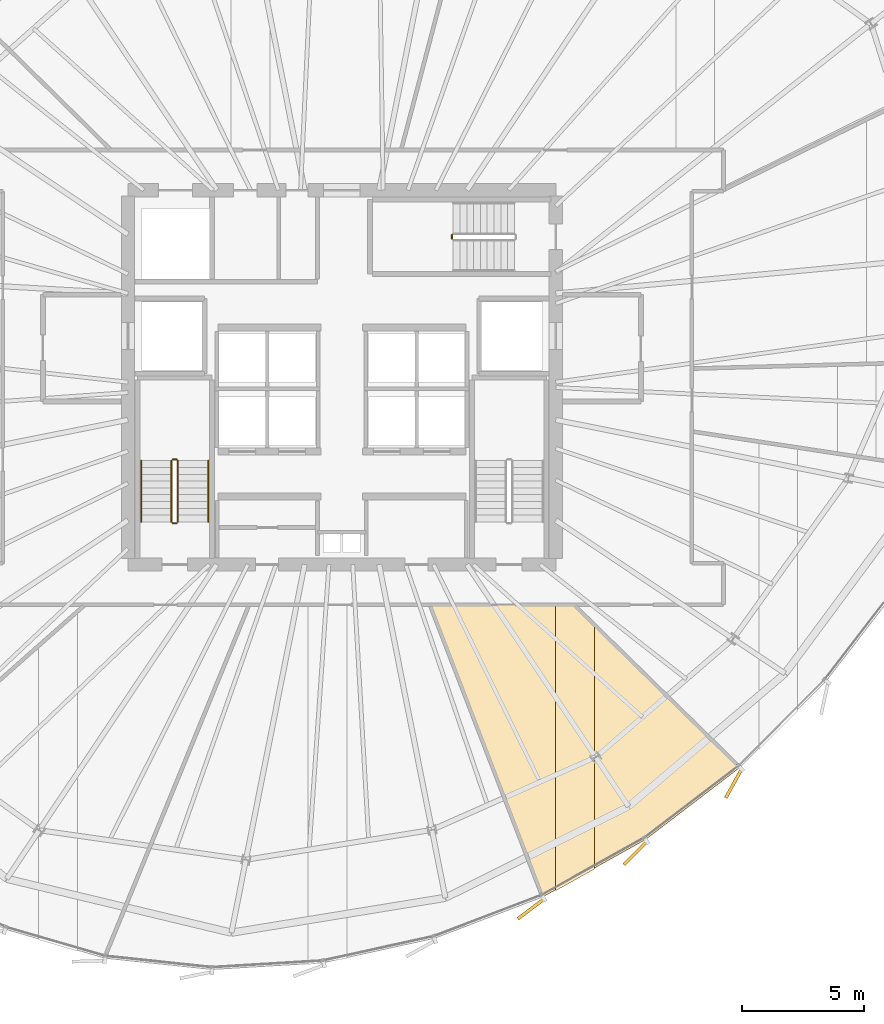
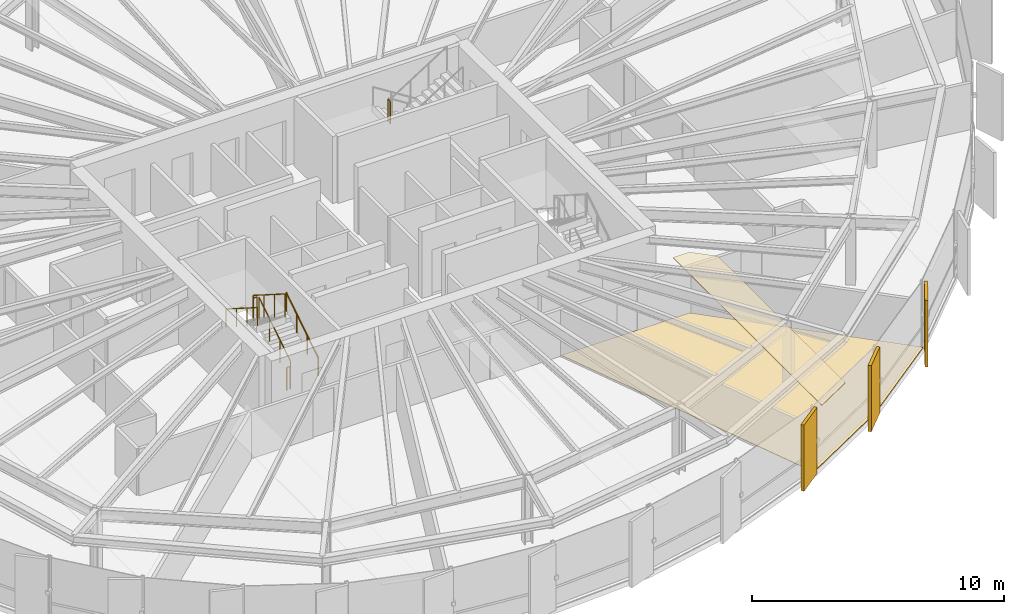
# One storey, part 33 of 35: 7 railings, 5 coverings.
"""IFC4 building model written with IfcOpenShell, lengths in metres."""

from ifc_helpers import new_model, si_unit, direction, frame, origin, origin_2d, place, context, subcontext, project, spatial, polyline, rectangle, circle, outline, extrude, source, transform, mapped, material, layer, layer_set, type_object, element, save


model = new_model("IFC4")

# Units and contexts
model_context = context("Model", 3, precision=1e-05, world=origin(), true_north=direction((0.0, 1.0)))
body_context = subcontext(model_context, "Body", "Model", "MODEL_VIEW")
ifc_project = project(units=[si_unit("LENGTHUNIT", "METRE"), si_unit("AREAUNIT", "SQUARE_METRE"), si_unit("VOLUMEUNIT", "CUBIC_METRE"), si_unit("PLANEANGLEUNIT", "RADIAN"), si_unit("MASSUNIT", "GRAM", prefix="KILO"), si_unit("THERMODYNAMICTEMPERATUREUNIT", "KELVIN")], contexts=[model_context])

# Site, building, storey
site_placement = place(None, origin())
site = spatial("IfcSite", under=ifc_project, at=site_placement, CompositionType="ELEMENT")
building_placement = place(site_placement, origin())
building = spatial("IfcBuilding", under=site, at=building_placement, Name="Kethvar Cultural Tower", CompositionType="ELEMENT")
storey_placement = place(building_placement, frame((0.0, 0.0, 167.85009765625)))
storey = spatial("IfcBuildingStorey", under=building, at=storey_placement, Name="L43", CompositionType="ELEMENT", Elevation=167.85009765625)

# Coverings
ifc_material_1 = material(Name="Acoustic Mineral Fibre Ceiling")
ifc_layer_1 = layer(ifc_material_1, 0.0400390625, Name="Acoustic Mineral Fibre Ceiling")
ifc_layer_set_1 = layer_set([ifc_layer_1], Name="Acoustic Mineral Fibre Ceiling (40 mm)")
covering_type_1 = type_object("IfcCoveringType", Name="CV-ACOUSTIC-CEIL", PredefinedType="CEILING", material=ifc_layer_set_1)
covering_1_placement = place(storey_placement, frame((0.0, 0.0, 2.889892578125)))
element("IfcCovering", 1, at=covering_1_placement, inside=storey, type_object=covering_type_1, Name="L43 Room 03 Acoustic Ceiling Panel", PredefinedType="CEILING", context=body_context, shape_type="SweptSolid", body=[
    extrude(outline(polyline([(55.59326171875, 6.67626953125), (55.59326171875, 18.469970703125), (56.341064453125, 18.469970703125), (57.183349609375, 17.650634765625), (57.183349609375, 7.564697265625), (55.59326171875, 6.67626953125)])), origin(), (0.0, 0.0, 1.0), 0.0400390625),
])
ifc_material_2 = material(Name="Architectural Oak Timber", Category="wood")
ifc_layer_2 = layer(ifc_material_2, 0.02490234375, Name="Architectural Oak Timber", Category="wood")
ifc_layer_set_2 = layer_set([ifc_layer_2], Name="Architectural Oak Timber (25 mm)")
covering_type_2 = type_object("IfcCoveringType", Name="CV-OAK-FLOOR", PredefinedType="FLOORING", material=ifc_layer_set_2)
covering_2_placement = place(storey_placement, origin())
element("IfcCovering", 2, at=covering_2_placement, inside=storey, type_object=covering_type_2, Name="L43 Room 03 Floor Finish", PredefinedType="FLOORING", context=body_context, shape_type="SweptSolid", body=[
    extrude(outline(polyline([(59.2890625, 8.787353515625), (55.089599609375, 6.4404296875), (50.448486328125, 18.429931640625), (56.3310546875, 18.429931640625), (63.15673828125, 11.73974609375), (59.2890625, 8.787353515625)])), origin(), (0.0, 0.0, 1.0), 0.02490234375),
])

# Railings
ifc_material_3 = material(Name="Steel S355J2", Category="steel")
railing_type_1 = type_object("IfcRailingType", Name="RL-STAIR-GUARD", PredefinedType="BALUSTRADE", material=ifc_material_3)
railing_1_placement = place(storey_placement, frame((40.050048828125, 21.85009765625, 0.177490234375)))
element("IfcRailing", 3, at=railing_1_placement, inside=storey, type_object=railing_type_1, Name="L43 ST-01 stair guard 1", PredefinedType="BALUSTRADE", context=body_context, shape_type="SweptSolid", body=[
    extrude(circle(Radius=0.02392578125, at=origin_2d()), frame((0.0, 0.0, 1.09619140625), z_axis=(0.0, 0.84460694969, 0.535386869969), x_axis=(-1.0, 0.0, 0.0)), (0.0, 0.0, 1.0), 2.983642578125),
    extrude(circle(Radius=0.02099609375, at=origin_2d()), origin(), (0.0, 0.0, 1.0), 1.072021484375),
    extrude(circle(Radius=0.02099609375, at=origin_2d()), frame((0.0, 0.840087890625, 0.532470703125)), (0.0, 0.0, 1.0), 1.072021484375),
    extrude(circle(Radius=0.02099609375, at=origin_2d()), frame((0.0, 1.679931640625, 1.06494140625)), (0.0, 0.0, 1.0), 1.072021484375),
    extrude(circle(Radius=0.02099609375, at=origin_2d()), frame((0.0, 2.52001953125, 1.597412109375)), (0.0, 0.0, 1.0), 1.072021484375),
])
railing_2_placement = place(storey_placement, frame((40.0, 24.419921875, 1.77490234375)))
element("IfcRailing", 4, at=railing_2_placement, inside=storey, type_object=railing_type_1, Name="L43 ST-01 stair guard 2", PredefinedType="BALUSTRADE", context=body_context, shape_type="SweptSolid", body=[
    extrude(circle(Radius=0.02392578125, at=origin_2d()), frame((0.0, 0.0, 1.09619140625), z_axis=(-1.0, 0.0, 0.0), x_axis=(0.0, -1.0, 0.0)), (0.0, 0.0, 1.0), 0.159912109375),
    extrude(circle(Radius=0.02099609375, at=origin_2d()), origin(), (0.0, 0.0, 1.0), 1.072021484375),
    extrude(circle(Radius=0.02099609375, at=origin_2d()), frame((-0.159912109375, 0.0, 0.0)), (0.0, 0.0, 1.0), 1.072021484375),
])
railing_3_placement = place(storey_placement, frame((39.7900390625, 24.3701171875, 1.952392578125)))
element("IfcRailing", 5, at=railing_3_placement, inside=storey, type_object=railing_type_1, Name="L43 ST-01 stair guard 3", PredefinedType="BALUSTRADE", context=body_context, shape_type="SweptSolid", body=[
    extrude(circle(Radius=0.02392578125, at=origin_2d()), frame((0.0, 0.0, 1.09619140625), z_axis=(0.0, -0.84460694969, 0.535386869969), x_axis=(1.0, 0.0, 0.0)), (0.0, 0.0, 1.0), 2.983642578125),
    extrude(circle(Radius=0.02099609375, at=origin_2d()), origin(), (0.0, 0.0, 1.0), 1.072021484375),
    extrude(circle(Radius=0.02099609375, at=origin_2d()), frame((0.0, -0.840087890625, 0.532470703125)), (0.0, 0.0, 1.0), 1.072021484375),
    extrude(circle(Radius=0.02099609375, at=origin_2d()), frame((0.0, -1.679931640625, 1.06494140625)), (0.0, 0.0, 1.0), 1.072021484375),
    extrude(circle(Radius=0.02099609375, at=origin_2d()), frame((0.0, -2.52001953125, 1.597412109375)), (0.0, 0.0, 1.0), 1.072021484375),
])
railing_4_placement = place(storey_placement, frame((40.0, 21.800048828125, 0.0)))
element("IfcRailing", 6, at=railing_4_placement, inside=storey, type_object=railing_type_1, Name="L43 ST-01 stair guard 4", PredefinedType="BALUSTRADE", context=body_context, shape_type="SweptSolid", body=[
    extrude(circle(Radius=0.02392578125, at=origin_2d()), frame((0.0, 0.0, 1.09619140625), z_axis=(-1.0, 0.0, 0.0), x_axis=(0.0, -1.0, 0.0)), (0.0, 0.0, 1.0), 0.159912109375),
    extrude(circle(Radius=0.02099609375, at=origin_2d()), origin(), (0.0, 0.0, 1.0), 1.072021484375),
    extrude(circle(Radius=0.02099609375, at=origin_2d()), frame((-0.159912109375, 0.0, 0.0)), (0.0, 0.0, 1.0), 1.072021484375),
])
railing_5_placement = place(storey_placement, frame((51.330078125, 33.659912109375, 1.77490234375)))
element("IfcRailing", 7, at=railing_5_placement, inside=storey, type_object=railing_type_1, Name="L43 ST-03 stair guard 2", PredefinedType="BALUSTRADE", context=body_context, shape_type="SweptSolid", body=[
    extrude(circle(Radius=0.02392578125, at=origin_2d()), frame((0.0, 0.0, 1.09619140625), z_axis=(0.0, -1.0, 0.0), x_axis=(1.0, 0.0, 0.0)), (0.0, 0.0, 1.0), 0.159912109375),
    extrude(circle(Radius=0.02099609375, at=origin_2d()), origin(), (0.0, 0.0, 1.0), 1.072021484375),
    extrude(circle(Radius=0.02099609375, at=origin_2d()), frame((0.0, -0.159912109375, 0.0)), (0.0, 0.0, 1.0), 1.072021484375),
])
railing_type_2 = type_object("IfcRailingType", Name="RL-STAIR-HANDRAIL", PredefinedType="HANDRAIL", material=ifc_material_3)
railing_6_placement = place(storey_placement, frame((41.300048828125, 21.85009765625, 0.177490234375)))
element("IfcRailing", 8, at=railing_6_placement, inside=storey, type_object=railing_type_2, Name="L43 ST-01 stair handrail 1", PredefinedType="HANDRAIL", context=body_context, shape_type="SweptSolid", body=[
    extrude(circle(Radius=0.02392578125, at=origin_2d()), frame((0.0, 0.0, 0.8759765625), z_axis=(0.0, 0.84460694969, 0.535386869969), x_axis=(-1.0, 0.0, 0.0)), (0.0, 0.0, 1.0), 2.983642578125),
    extrude(circle(Radius=0.02099609375, at=origin_2d()), origin(), (0.0, 0.0, 1.0), 0.851806640625),
    extrude(circle(Radius=0.02099609375, at=origin_2d()), frame((0.0, 0.840087890625, 0.532470703125)), (0.0, 0.0, 1.0), 0.851806640625),
    extrude(circle(Radius=0.02099609375, at=origin_2d()), frame((0.0, 1.679931640625, 1.06494140625)), (0.0, 0.0, 1.0), 0.851806640625),
    extrude(circle(Radius=0.02099609375, at=origin_2d()), frame((0.0, 2.52001953125, 1.597412109375)), (0.0, 0.0, 1.0), 0.851806640625),
])
railing_7_placement = place(storey_placement, frame((38.5400390625, 24.3701171875, 1.952392578125)))
element("IfcRailing", 9, at=railing_7_placement, inside=storey, type_object=railing_type_2, Name="L43 ST-01 stair handrail 2", PredefinedType="HANDRAIL", context=body_context, shape_type="SweptSolid", body=[
    extrude(circle(Radius=0.02392578125, at=origin_2d()), frame((0.0, 0.0, 0.8759765625), z_axis=(0.0, -0.84460694969, 0.535386869969), x_axis=(1.0, 0.0, 0.0)), (0.0, 0.0, 1.0), 2.983642578125),
    extrude(circle(Radius=0.02099609375, at=origin_2d()), origin(), (0.0, 0.0, 1.0), 0.851806640625),
    extrude(circle(Radius=0.02099609375, at=origin_2d()), frame((0.0, -0.840087890625, 0.532470703125)), (0.0, 0.0, 1.0), 0.851806640625),
    extrude(circle(Radius=0.02099609375, at=origin_2d()), frame((0.0, -1.679931640625, 1.06494140625)), (0.0, 0.0, 1.0), 0.851806640625),
    extrude(circle(Radius=0.02099609375, at=origin_2d()), frame((0.0, -2.52001953125, 1.597412109375)), (0.0, 0.0, 1.0), 0.851806640625),
])

# Coverings
ifc_material_4 = material(Name="Extruded Architectural Terracotta", Category="masonry")
ifc_layer_3 = layer(ifc_material_4, 0.135009765625, Name="Extruded Architectural Terracotta", Category="masonry")
ifc_layer_set_3 = layer_set([ifc_layer_3], Name="Extruded Architectural Terracotta (135 mm)")
covering_type_3 = type_object("IfcCoveringType", Name="Terracotta Facade Fin FIN-02", PredefinedType="CLADDING", material=ifc_layer_set_3)
shared_shape = source(origin(), body_context, "Body", "SweptSolid", [
    extrude(rectangle(XDim=1.35009765625, YDim=0.135009765625, at=origin_2d()), origin(), (0.0, 0.0, 1.0), 3.199951171875),
])
for number, where, z_axis, x_axis, name in (
    (10, (54.58056640625, 5.933837890625, 0.02001953125), (0.0, 0.0, 1.0), (-0.796529918024, -0.604599114862, 0.0), "L43 Vertical Terracotta Fin 5.3"),
    (11, (58.874267578125, 8.2265625, 0.02001953125), (0.0, 0.0, 1.0), (-0.702649969799, -0.711535677209, 0.0), "L43 Vertical Terracotta Fin 5.4"),
    (12, (62.918212890625, 11.090087890625, 0.02001953125), (0.0, 0.0, 1.0), (-0.482823924874, -0.875717453046, 0.0), "L43 Vertical Terracotta Fin 5.5"),
):
    element("IfcCovering", number, at=place(storey_placement, frame(where, z_axis=z_axis, x_axis=x_axis)), inside=storey, type_object=covering_type_3, Name=name, PredefinedType="CLADDING", context=body_context, shape_type="MappedRepresentation", body=[
        mapped(shared_shape, transform((0.0, 0.0, 0.0), scale=1.0)),
    ])

save(model, "model.ifc")
